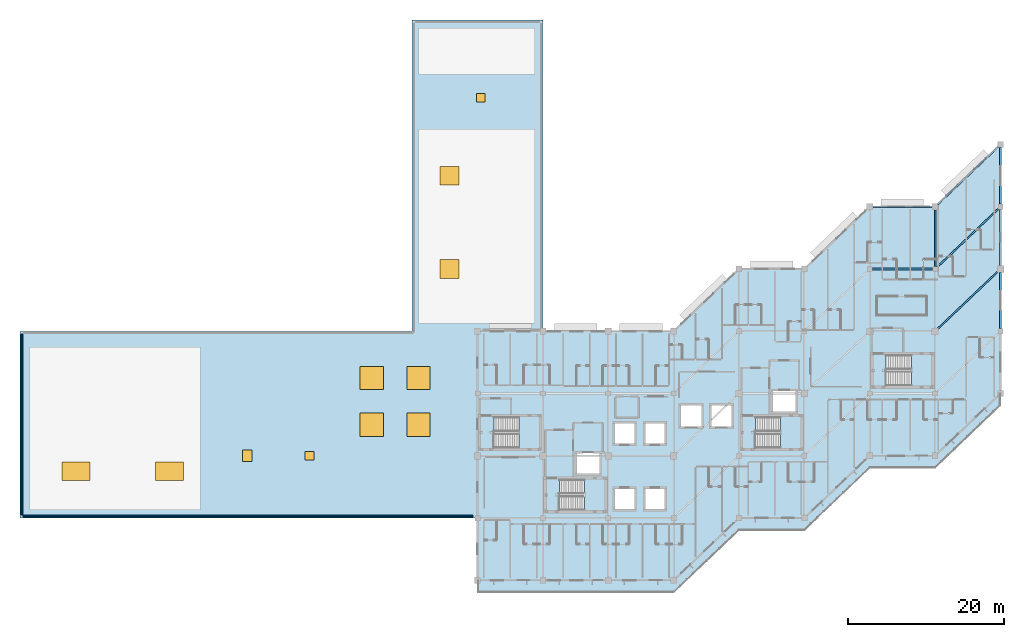
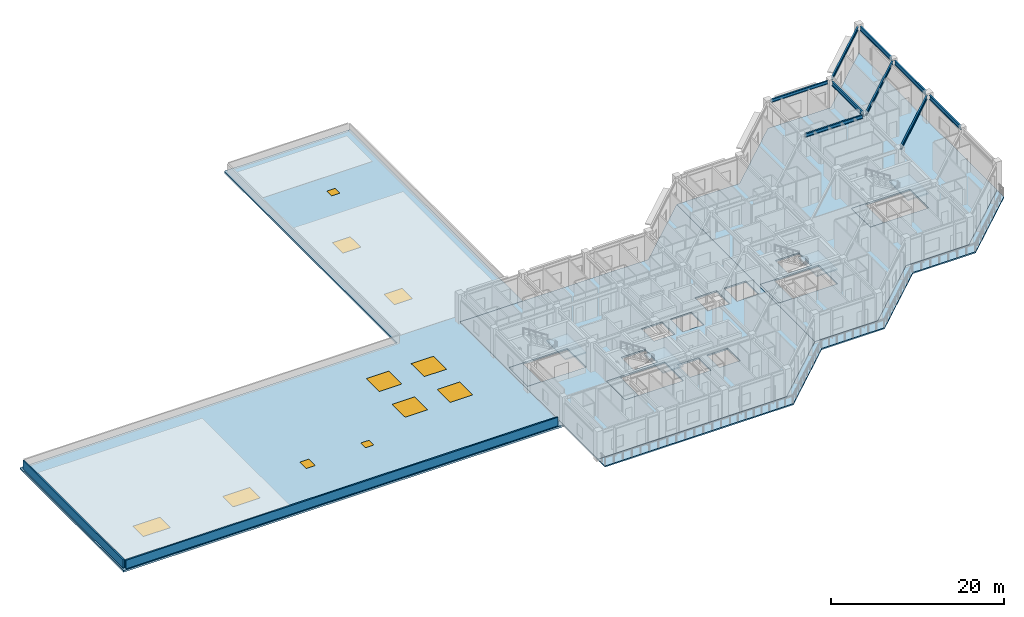
# One storey, part 5 of 22: 12 slabs, 11 windows, 9 beams, 2 walls, 11 openings, 4 elements without a shape of their own.
"""IFC4 building model written with IfcOpenShell, lengths in metres."""

from ifc_helpers import new_model, si_unit, direction, frame, frame_2d, origin, origin_2d, place, context, subcontext, project, spatial, polyline, rectangle, i_section, outline, extrude, material, layer, layer_set, material_profile, profile_set, type_object, element, fill, aggregate, save


model = new_model("IFC4")

# Units and contexts
model_context = context("Model", 3, precision=1e-05, world=origin(), true_north=direction((0.0, 1.0)))
body_context = subcontext(model_context, "Body", "Model", "MODEL_VIEW")
ifc_project = project(units=[si_unit("LENGTHUNIT", "METRE"), si_unit("AREAUNIT", "SQUARE_METRE"), si_unit("VOLUMEUNIT", "CUBIC_METRE"), si_unit("PLANEANGLEUNIT", "RADIAN"), si_unit("MASSUNIT", "GRAM", prefix="KILO")], contexts=[model_context])

# Site, building, storey
site_placement = place(None, origin())
site = spatial("IfcSite", under=ifc_project, at=site_placement, CompositionType="ELEMENT")
building_placement = place(site_placement, origin())
building = spatial("IfcBuilding", under=site, at=building_placement, Name="Naruveol Harbour Congress Hotel", CompositionType="ELEMENT")
storey_placement = place(building_placement, frame((0.0, 0.0, 21.0)))
storey = spatial("IfcBuildingStorey", under=building, at=storey_placement, Name="L04", CompositionType="ELEMENT", Elevation=21.0)

# Beams
ifc_material_1 = material(Name="Steel SN490", Category="steel")
ifc_material_profile_1 = material_profile(ifc_material_1, i_section(OverallWidth=0.199951171875, OverallDepth=0.5, WebThickness=0.010009765625, FlangeThickness=0.01611328125, at=origin_2d()), Name="H-500x200x10x16")
ifc_profile_set_1 = profile_set([ifc_material_profile_1], Name="Steel SN490")
beam_type_1 = type_object("IfcBeamType", Name="STEEL FLOOR GIRDER H500", PredefinedType="BEAM", material=ifc_profile_set_1)
beam_1_placement = place(storey_placement, frame((168.345947265625, 40.0, 3.72998046875), z_axis=(1.0, 0.0, 0.0), x_axis=(0.0, 1.0, 0.0)))
element("IfcBeam", 1, at=beam_1_placement, inside=storey, type_object=beam_type_1, Name="Hotel chord beam L05 SB2", PredefinedType="BEAM", context=body_context, shape_type="SweptSolid", body=[
    extrude(i_section(OverallWidth=0.199951171875, OverallDepth=0.5, WebThickness=0.010009765625, FlangeThickness=0.01611328125, at=origin_2d()), origin(), (0.0, 0.0, 1.0), 7.7080078125),
])
beam_2_placement = place(storey_placement, frame((176.722900390625, 32.3076171875, 3.72998046875), z_axis=(0.724144437485, 0.689648340576, 0.0), x_axis=(-0.689648340576, 0.724144437485, 0.0)))
element("IfcBeam", 2, at=beam_2_placement, inside=storey, type_object=beam_type_1, Name="Hotel chord beam L05 SB2", PredefinedType="BEAM", context=body_context, shape_type="SweptSolid", body=[
    extrude(i_section(OverallWidth=0.199951171875, OverallDepth=0.5, WebThickness=0.010009765625, FlangeThickness=0.01611328125, at=origin_2d()), origin(), (0.0, 0.0, 1.0), 10.7080078125),
])
beam_3_placement = place(storey_placement, frame((176.650634765625, 40.238525390625, 3.72998046875), z_axis=(0.724119833693, 0.689674174123, 0.0), x_axis=(-0.689674174123, 0.724119833693, 0.0)))
element("IfcBeam", 3, at=beam_3_placement, inside=storey, type_object=beam_type_1, Name="Hotel chord beam L05 SB2", PredefinedType="BEAM", context=body_context, shape_type="SweptSolid", body=[
    extrude(i_section(OverallWidth=0.199951171875, OverallDepth=0.5, WebThickness=0.010009765625, FlangeThickness=0.01611328125, at=origin_2d()), origin(), (0.0, 0.0, 1.0), 10.907958984375),
])
ifc_material_2 = material(Name="Steel SN490", Category="steel")
ifc_material_profile_2 = material_profile(ifc_material_2, i_section(OverallWidth=0.199951171875, OverallDepth=0.60009765625, WebThickness=0.010986328125, FlangeThickness=0.01708984375, at=origin_2d()), Name="H-600x200x11x17")
ifc_profile_set_2 = profile_set([ifc_material_profile_2], Name="Steel SN490")
beam_type_2 = type_object("IfcBeamType", Name="STEEL PRIMARY FLOOR BEAM H600", PredefinedType="BEAM", material=ifc_profile_set_2)
beam_4_placement = place(storey_placement, frame((176.39990234375, 40.345947265625, 3.679931640625), z_axis=(0.0, 1.0, 0.0), x_axis=(-1.0, 0.0, 0.0)))
element("IfcBeam", 4, at=beam_4_placement, inside=storey, type_object=beam_type_2, Name="Hotel transverse beam L05 SB1", PredefinedType="BEAM", context=body_context, shape_type="SweptSolid", body=[
    extrude(i_section(OverallWidth=0.199951171875, OverallDepth=0.60009765625, WebThickness=0.010986328125, FlangeThickness=0.01708984375, at=origin_2d()), origin(), (0.0, 0.0, 1.0), 7.258056640625),
])
for number, where, z_axis, x_axis, name in (
    (5, (184.800048828125, 32.345947265625, 3.679931640625), (0.0, 1.0, 0.0), (-1.0, 0.0, 0.0), "Hotel transverse beam L05 SB1"),
    (6, (184.800048828125, 40.446044921875, 3.679931640625), (0.0, 1.0, 0.0), (-1.0, 0.0, 0.0), "Hotel transverse beam L05 SB1"),
):
    element("IfcBeam", number, at=place(storey_placement, frame(where, z_axis=z_axis, x_axis=x_axis)), inside=storey, type_object=beam_type_2, Name=name, PredefinedType="BEAM", context=body_context, shape_type="SweptSolid", body=[
        extrude(i_section(OverallWidth=0.199951171875, OverallDepth=0.60009765625, WebThickness=0.010986328125, FlangeThickness=0.01708984375, at=origin_2d()), origin(), (0.0, 0.0, 1.0), 7.2080078125),
    ])
beam_5_placement = place(storey_placement, frame((184.800048828125, 48.345947265625, 3.679931640625), z_axis=(0.0, 1.0, 0.0), x_axis=(-1.0, 0.0, 0.0)))
element("IfcBeam", 7, at=beam_5_placement, inside=storey, type_object=beam_type_2, Name="Hotel transverse beam L05 SB1", PredefinedType="BEAM", context=body_context, shape_type="SweptSolid", body=[
    extrude(i_section(OverallWidth=0.199951171875, OverallDepth=0.60009765625, WebThickness=0.010986328125, FlangeThickness=0.01708984375, at=origin_2d()), origin(), (0.0, 0.0, 1.0), 7.258056640625),
])
ifc_material_3 = material(Name="Steel SN490", Category="steel")
ifc_material_profile_3 = material_profile(ifc_material_3, i_section(OverallWidth=0.199951171875, OverallDepth=0.449951171875, WebThickness=0.009033203125, FlangeThickness=0.013916015625, at=origin_2d()), Name="H-450x200x9x14")
ifc_profile_set_3 = profile_set([ifc_material_profile_3], Name="Steel SN490")
beam_type_3 = type_object("IfcBeamType", Name="STEEL SPANDREL EDGE BEAM H450", PredefinedType="SPANDREL", material=ifc_profile_set_3)
beam_6_placement = place(storey_placement, frame((168.39599609375, 48.0, 3.7548828125), z_axis=(1.0, 0.0, 0.0), x_axis=(0.0, 1.0, 0.0)))
element("IfcBeam", 8, at=beam_6_placement, inside=storey, type_object=beam_type_3, Name="Hotel chord beam L05 SPB2", PredefinedType="SPANDREL", context=body_context, shape_type="SweptSolid", body=[
    extrude(i_section(OverallWidth=0.199951171875, OverallDepth=0.449951171875, WebThickness=0.009033203125, FlangeThickness=0.013916015625, at=origin_2d()), origin(), (0.0, 0.0, 1.0), 7.60791015625),
])
beam_7_placement = place(storey_placement, frame((176.686767578125, 48.273193359375, 3.7548828125), z_axis=(0.724143303008, 0.689649531798, 0.0), x_axis=(-0.689649531798, 0.724143303008, 0.0)))
element("IfcBeam", 9, at=beam_7_placement, inside=storey, type_object=beam_type_3, Name="Hotel chord beam L05 SPB2", PredefinedType="SPANDREL", context=body_context, shape_type="SweptSolid", body=[
    extrude(i_section(OverallWidth=0.199951171875, OverallDepth=0.449951171875, WebThickness=0.009033203125, FlangeThickness=0.013916015625, at=origin_2d()), origin(), (0.0, 0.0, 1.0), 10.807861328125),
])

# Slabs
ifc_material_4 = material(Name="Concrete C40/50", Category="concrete")
ifc_layer_1 = layer(ifc_material_4, 0.219970703125)
ifc_layer_set_1 = layer_set([ifc_layer_1], Name="Concrete C40/50")
slab_type_1 = type_object("IfcSlabType", Name="RC HOTEL LOWER FLOOR SLAB 220", PredefinedType="FLOOR", material=ifc_layer_set_1)
slab_1_placement = place(storey_placement, frame((0.0, 0.0, -0.219970703125)))
element("IfcSlab", 10, at=slab_1_placement, inside=storey, type_object=slab_type_1, Name="Level L04 Hotel W S-curve floor slab", PredefinedType="FLOOR", context=body_context, shape_type="SweptSolid", body=[
    extrude(outline(polyline([(117.60009765625, 0.0), (126.0, 0.0), (134.39990234375, 0.0), (142.800048828125, 0.0), (151.199951171875, 8.0), (151.199951171875, 40.0), (142.800048828125, 32.0), (134.39990234375, 32.0), (126.0, 32.0), (117.60009765625, 32.0), (117.60009765625, 0.0)]), holes=[polyline([(126.300048828125, 8.800048828125), (134.10009765625, 8.800048828125), (134.10009765625, 13.159912109375), (126.300048828125, 13.159912109375), (126.300048828125, 8.800048828125)]), polyline([(117.89990234375, 16.800048828125), (125.699951171875, 16.800048828125), (125.699951171875, 21.159912109375), (117.89990234375, 21.159912109375), (117.89990234375, 16.800048828125)]), polyline([(135.10009765625, 17.39990234375), (137.89990234375, 17.39990234375), (137.89990234375, 20.300048828125), (135.10009765625, 20.300048828125), (135.10009765625, 17.39990234375)]), polyline([(139.0, 17.39990234375), (141.800048828125, 17.39990234375), (141.800048828125, 20.300048828125), (139.0, 20.300048828125), (139.0, 17.39990234375)]), polyline([(135.10009765625, 9.0), (137.89990234375, 9.0), (137.89990234375, 11.89990234375), (135.10009765625, 11.89990234375), (135.10009765625, 9.0)]), polyline([(139.0, 9.0), (141.800048828125, 9.0), (141.800048828125, 11.89990234375), (139.0, 11.89990234375), (139.0, 9.0)]), polyline([(130.199951171875, 13.550048828125), (133.39990234375, 13.550048828125), (133.39990234375, 16.449951171875), (130.199951171875, 16.449951171875), (130.199951171875, 13.550048828125)]), polyline([(143.60009765625, 19.60009765625), (146.5, 19.60009765625), (146.5, 22.60009765625), (143.60009765625, 22.60009765625), (143.60009765625, 19.60009765625)]), polyline([(147.5, 19.60009765625), (150.39990234375, 19.60009765625), (150.39990234375, 22.60009765625), (147.5, 22.60009765625), (147.5, 19.60009765625)])]), origin(), (0.0, 0.0, 1.0), 0.219970703125),
])
slab_2_placement = place(storey_placement, frame((0.0, 0.0, -0.219970703125)))
element("IfcSlab", 11, at=slab_2_placement, inside=storey, type_object=slab_type_1, Name="Level L04 Hotel E S-curve floor slab", PredefinedType="FLOOR", context=body_context, shape_type="SweptSolid", body=[
    extrude(outline(polyline([(151.199951171875, 8.0), (159.60009765625, 8.0), (168.0, 16.0), (176.39990234375, 16.0), (184.800048828125, 24.0), (184.800048828125, 56.0), (176.39990234375, 48.0), (168.0, 48.0), (159.60009765625, 40.0), (151.199951171875, 40.0), (151.199951171875, 8.0)]), holes=[polyline([(151.5, 16.800048828125), (159.300048828125, 16.800048828125), (159.300048828125, 21.159912109375), (151.5, 21.159912109375), (151.5, 16.800048828125)]), polyline([(168.300048828125, 24.800048828125), (176.10009765625, 24.800048828125), (176.10009765625, 29.159912109375), (168.300048828125, 29.159912109375), (168.300048828125, 24.800048828125)]), polyline([(155.39990234375, 21.550048828125), (158.60009765625, 21.550048828125), (158.60009765625, 24.449951171875), (155.39990234375, 24.449951171875), (155.39990234375, 21.550048828125)])]), origin(), (0.0, 0.0, 1.0), 0.219970703125),
])

# Slab, openings, windows
ifc_material_5 = material(Name="Concrete C40/50", Category="concrete")
ifc_layer_2 = layer(ifc_material_5, 0.260009765625)
ifc_layer_set_2 = layer_set([ifc_layer_2], Name="Concrete C40/50")
slab_type_2 = type_object("IfcSlabType", Name="RC PLANTED ROOF GARDEN SLAB 260", PredefinedType="ROOF", material=ifc_layer_set_2)
slab_3_placement = place(storey_placement, frame((0.0, 0.0, -0.260009765625)))
slab_3 = element("IfcSlab", 12, at=slab_3_placement, inside=storey, type_object=slab_type_2, Name="Courtyard Meeting Wing planted roof slab", PredefinedType="ROOF", context=body_context, shape_type="SweptSolid", body=[
    extrude(outline(polyline([(58.800048828125, 8.0), (117.60009765625, 8.0), (117.60009765625, 32.0), (126.0, 32.0), (126.0, 72.0), (109.199951171875, 72.0), (109.199951171875, 32.0), (58.800048828125, 32.0), (58.800048828125, 8.0)])), origin(), (0.0, 0.0, 1.0), 0.260009765625),
])
opening_1_placement = place(slab_3_placement, frame((104.0, 20.0, 0.0)))
opening_1 = element("IfcOpeningElement", 13, at=opening_1_placement, cuts=slab_3, Name="Opening SK-01", PredefinedType="OPENING", context=body_context, shape_type="SweptSolid", body=[
    extrude(rectangle(XDim=3.0, YDim=3.0, at=origin_2d()), origin(), (0.0, 0.0, 1.0), 0.260009765625),
])
opening_2_placement = place(slab_3_placement, frame((110.0, 20.0, 0.0)))
opening_2 = element("IfcOpeningElement", 14, at=opening_2_placement, cuts=slab_3, Name="Opening SK-01", PredefinedType="OPENING", context=body_context, shape_type="SweptSolid", body=[
    extrude(rectangle(XDim=3.0, YDim=3.0, at=origin_2d()), origin(), (0.0, 0.0, 1.0), 0.260009765625),
])
opening_3_placement = place(slab_3_placement, frame((104.0, 26.0, 0.0)))
opening_3 = element("IfcOpeningElement", 15, at=opening_3_placement, cuts=slab_3, Name="Opening SK-01", PredefinedType="OPENING", context=body_context, shape_type="SweptSolid", body=[
    extrude(rectangle(XDim=3.0, YDim=3.0, at=origin_2d()), origin(), (0.0, 0.0, 1.0), 0.260009765625),
])
opening_4_placement = place(slab_3_placement, frame((110.0, 26.0, 0.0)))
opening_4 = element("IfcOpeningElement", 16, at=opening_4_placement, cuts=slab_3, Name="Opening SK-01", PredefinedType="OPENING", context=body_context, shape_type="SweptSolid", body=[
    extrude(rectangle(XDim=3.0, YDim=3.0, at=origin_2d()), origin(), (0.0, 0.0, 1.0), 0.260009765625),
])
opening_5_placement = place(slab_3_placement, frame((66.0, 14.0, 0.0)))
opening_5 = element("IfcOpeningElement", 17, at=opening_5_placement, cuts=slab_3, Name="Opening SK-02", PredefinedType="OPENING", context=body_context, shape_type="SweptSolid", body=[
    extrude(rectangle(XDim=3.60009765625, YDim=2.39990234375, at=origin_2d()), origin(), (0.0, 0.0, 1.0), 0.260009765625),
])
opening_6_placement = place(slab_3_placement, frame((78.0, 14.0, 0.0)))
opening_6 = element("IfcOpeningElement", 18, at=opening_6_placement, cuts=slab_3, Name="Opening SK-02", PredefinedType="OPENING", context=body_context, shape_type="SweptSolid", body=[
    extrude(rectangle(XDim=3.60009765625, YDim=2.39990234375, at=origin_2d()), origin(), (0.0, 0.0, 1.0), 0.260009765625),
])
opening_7_placement = place(slab_3_placement, frame((114.0, 40.0, 0.0)))
opening_7 = element("IfcOpeningElement", 19, at=opening_7_placement, cuts=slab_3, Name="Opening SK-03", PredefinedType="OPENING", context=body_context, shape_type="SweptSolid", body=[
    extrude(rectangle(XDim=2.39990234375, YDim=2.39990234375, at=origin_2d()), origin(), (0.0, 0.0, 1.0), 0.260009765625),
])
opening_8_placement = place(slab_3_placement, frame((114.0, 52.0, 0.0)))
opening_8 = element("IfcOpeningElement", 20, at=opening_8_placement, cuts=slab_3, Name="Opening SK-03", PredefinedType="OPENING", context=body_context, shape_type="SweptSolid", body=[
    extrude(rectangle(XDim=2.39990234375, YDim=2.39990234375, at=origin_2d()), origin(), (0.0, 0.0, 1.0), 0.260009765625),
])
opening_9_placement = place(slab_3_placement, frame((96.0, 16.0, 0.0)))
opening_9 = element("IfcOpeningElement", 21, at=opening_9_placement, cuts=slab_3, Name="Opening RH-110", PredefinedType="OPENING", context=body_context, shape_type="SweptSolid", body=[
    extrude(rectangle(XDim=1.10009765625, YDim=1.10009765625, at=origin_2d()), origin(), (0.0, 0.0, 1.0), 0.260009765625),
])
opening_10_placement = place(slab_3_placement, frame((88.0, 16.0, 0.0)))
opening_10 = element("IfcOpeningElement", 22, at=opening_10_placement, cuts=slab_3, Name="Opening RH-150", PredefinedType="OPENING", context=body_context, shape_type="SweptSolid", body=[
    extrude(rectangle(XDim=1.199951171875, YDim=1.5, at=origin_2d()), origin(), (0.0, 0.0, 1.0), 0.260009765625),
])
opening_11_placement = place(slab_3_placement, frame((118.0, 62.0, 0.0)))
opening_11 = element("IfcOpeningElement", 23, at=opening_11_placement, cuts=slab_3, Name="Opening RH-110", PredefinedType="OPENING", context=body_context, shape_type="SweptSolid", body=[
    extrude(rectangle(XDim=1.10009765625, YDim=1.10009765625, at=origin_2d()), origin(), (0.0, 0.0, 1.0), 0.260009765625),
])
ifc_material_6 = material(Name="Low-E Triple Glazing in Thermal Aluminium", Category="aluminium")
window_type_1 = type_object("IfcWindowType", Name="ATRIUM MODULAR ROOF SKYLIGHT 3000X3000", PartitioningType="DOUBLE_PANEL_VERTICAL", PredefinedType="SKYLIGHT", material=ifc_material_6)
window_1_placement = place(opening_1_placement, frame((0.0, 0.0, 0.2099609375)))
window_1 = element("IfcWindow", 24, at=window_1_placement, inside=storey, type_object=window_type_1, Name="Roof skylight SK-01 #1", OverallHeight=3.0, OverallWidth=3.0, PartitioningType="SINGLE_PANEL", PredefinedType="SKYLIGHT", context=body_context, shape_type="SweptSolid", body=[
    extrude(rectangle(XDim=3.0, YDim=3.0, at=origin_2d()), origin(), (0.0, 0.0, 1.0), 0.050048828125),
])
fill(opening_1, window_1)
window_2_placement = place(opening_2_placement, frame((0.0, 0.0, 0.2099609375)))
window_2 = element("IfcWindow", 25, at=window_2_placement, inside=storey, type_object=window_type_1, Name="Roof skylight SK-01 #2", OverallHeight=3.0, OverallWidth=3.0, PartitioningType="SINGLE_PANEL", PredefinedType="SKYLIGHT", context=body_context, shape_type="SweptSolid", body=[
    extrude(rectangle(XDim=3.0, YDim=3.0, at=origin_2d()), origin(), (0.0, 0.0, 1.0), 0.050048828125),
])
fill(opening_2, window_2)
window_3_placement = place(opening_3_placement, frame((0.0, 0.0, 0.2099609375)))
window_3 = element("IfcWindow", 26, at=window_3_placement, inside=storey, type_object=window_type_1, Name="Roof skylight SK-01 #3", OverallHeight=3.0, OverallWidth=3.0, PartitioningType="SINGLE_PANEL", PredefinedType="SKYLIGHT", context=body_context, shape_type="SweptSolid", body=[
    extrude(rectangle(XDim=3.0, YDim=3.0, at=origin_2d()), origin(), (0.0, 0.0, 1.0), 0.050048828125),
])
fill(opening_3, window_3)
window_4_placement = place(opening_4_placement, frame((0.0, 0.0, 0.2099609375)))
window_4 = element("IfcWindow", 27, at=window_4_placement, inside=storey, type_object=window_type_1, Name="Roof skylight SK-01 #4", OverallHeight=3.0, OverallWidth=3.0, PartitioningType="SINGLE_PANEL", PredefinedType="SKYLIGHT", context=body_context, shape_type="SweptSolid", body=[
    extrude(rectangle(XDim=3.0, YDim=3.0, at=origin_2d()), origin(), (0.0, 0.0, 1.0), 0.050048828125),
])
fill(opening_4, window_4)
ifc_material_7 = material(Name="Low-E Triple Glazing in Thermal Aluminium", Category="aluminium")
window_type_2 = type_object("IfcWindowType", Name="COURTYARD GALLERY SKYLIGHT 3600X2400", PartitioningType="DOUBLE_PANEL_VERTICAL", PredefinedType="SKYLIGHT", material=ifc_material_7)
window_5_placement = place(opening_5_placement, frame((0.0, 0.0, 0.2099609375)))
window_5 = element("IfcWindow", 28, at=window_5_placement, inside=storey, type_object=window_type_2, Name="Roof skylight SK-02 #5", OverallHeight=2.39990234375, OverallWidth=3.60009765625, PartitioningType="SINGLE_PANEL", PredefinedType="SKYLIGHT", context=body_context, shape_type="SweptSolid", body=[
    extrude(rectangle(XDim=3.60009765625, YDim=2.39990234375, at=origin_2d()), origin(), (0.0, 0.0, 1.0), 0.050048828125),
])
fill(opening_5, window_5)
window_6_placement = place(opening_6_placement, frame((0.0, 0.0, 0.2099609375)))
window_6 = element("IfcWindow", 29, at=window_6_placement, inside=storey, type_object=window_type_2, Name="Roof skylight SK-02 #6", OverallHeight=2.39990234375, OverallWidth=3.60009765625, PartitioningType="SINGLE_PANEL", PredefinedType="SKYLIGHT", context=body_context, shape_type="SweptSolid", body=[
    extrude(rectangle(XDim=3.60009765625, YDim=2.39990234375, at=origin_2d()), origin(), (0.0, 0.0, 1.0), 0.050048828125),
])
fill(opening_6, window_6)
ifc_material_8 = material(Name="Low-E Triple Glazing in Thermal Aluminium", Category="aluminium")
window_type_3 = type_object("IfcWindowType", Name="MEETING SALON DAYLIGHT DOME 2400X2400", PartitioningType="DOUBLE_PANEL_VERTICAL", PredefinedType="SKYLIGHT", material=ifc_material_8)
window_7_placement = place(opening_7_placement, frame((0.0, 0.0, 0.2099609375)))
window_7 = element("IfcWindow", 30, at=window_7_placement, inside=storey, type_object=window_type_3, Name="Roof skylight SK-03 #7", OverallHeight=2.39990234375, OverallWidth=2.39990234375, PartitioningType="SINGLE_PANEL", PredefinedType="SKYLIGHT", context=body_context, shape_type="SweptSolid", body=[
    extrude(rectangle(XDim=2.39990234375, YDim=2.39990234375, at=origin_2d()), origin(), (0.0, 0.0, 1.0), 0.050048828125),
])
fill(opening_7, window_7)
window_8_placement = place(opening_8_placement, frame((0.0, 0.0, 0.2099609375)))
window_8 = element("IfcWindow", 31, at=window_8_placement, inside=storey, type_object=window_type_3, Name="Roof skylight SK-03 #8", OverallHeight=2.39990234375, OverallWidth=2.39990234375, PartitioningType="SINGLE_PANEL", PredefinedType="SKYLIGHT", context=body_context, shape_type="SweptSolid", body=[
    extrude(rectangle(XDim=2.39990234375, YDim=2.39990234375, at=origin_2d()), origin(), (0.0, 0.0, 1.0), 0.050048828125),
])
fill(opening_8, window_8)
ifc_material_9 = material(Name="Low-E Triple Glazing in Thermal Aluminium", Category="aluminium")
window_type_4 = type_object("IfcWindowType", Name="ROOF ACCESS GLAZED HATCH 1100X1100", PartitioningType="SINGLE_PANEL", PredefinedType="SKYLIGHT", material=ifc_material_9)
window_9_placement = place(opening_9_placement, frame((0.0, 0.0, 0.2099609375)))
window_9 = element("IfcWindow", 32, at=window_9_placement, inside=storey, type_object=window_type_4, Name="Roof access hatch RH-110 #3", OverallHeight=1.10009765625, OverallWidth=1.10009765625, PartitioningType="SINGLE_PANEL", PredefinedType="SKYLIGHT", context=body_context, shape_type="SweptSolid", body=[
    extrude(rectangle(XDim=1.10009765625, YDim=1.10009765625, at=origin_2d()), origin(), (0.0, 0.0, 1.0), 0.050048828125),
])
fill(opening_9, window_9)
window_10_placement = place(opening_11_placement, frame((0.0, 0.0, 0.2099609375)))
window_10 = element("IfcWindow", 33, at=window_10_placement, inside=storey, type_object=window_type_4, Name="Roof access hatch RH-110 #5", OverallHeight=1.10009765625, OverallWidth=1.10009765625, PartitioningType="SINGLE_PANEL", PredefinedType="SKYLIGHT", context=body_context, shape_type="SweptSolid", body=[
    extrude(rectangle(XDim=1.10009765625, YDim=1.10009765625, at=origin_2d()), origin(), (0.0, 0.0, 1.0), 0.050048828125),
])
fill(opening_11, window_10)
ifc_material_10 = material(Name="Low-E Triple Glazing in Thermal Aluminium", Category="aluminium")
window_type_5 = type_object("IfcWindowType", Name="SMOKE VENT GLAZED ROOF HATCH 1200X1500", PartitioningType="SINGLE_PANEL", PredefinedType="SKYLIGHT", material=ifc_material_10)
window_11_placement = place(opening_10_placement, frame((0.0, 0.0, 0.2099609375)))
window_11 = element("IfcWindow", 34, at=window_11_placement, inside=storey, type_object=window_type_5, Name="Roof access hatch RH-150 #4", OverallHeight=1.5, OverallWidth=1.199951171875, PartitioningType="SINGLE_PANEL", PredefinedType="SKYLIGHT", context=body_context, shape_type="SweptSolid", body=[
    extrude(rectangle(XDim=1.199951171875, YDim=1.5, at=origin_2d()), origin(), (0.0, 0.0, 1.0), 0.050048828125),
])
fill(opening_10, window_11)

# Slab
ifc_material_11 = material(Name="Concrete C40/50", Category="concrete")
ifc_layer_3 = layer(ifc_material_11, 0.179931640625)
ifc_layer_set_3 = layer_set([ifc_layer_3], Name="Concrete C40/50")
slab_type_3 = type_object("IfcSlabType", Name="RC STAIR HALF LANDING SLAB 180", PredefinedType="LANDING", material=ifc_layer_set_3)
slab_4_placement = place(storey_placement, frame((0.0, 0.0, -0.179931640625)))
element("IfcSlab", 35, at=slab_4_placement, inside=storey, type_object=slab_type_3, Name="Stair ST1 L04 floor landing", PredefinedType="LANDING", context=body_context, shape_type="SweptSolid", body=[
    extrude(outline(polyline([(126.300048828125, 8.800048828125), (128.10009765625, 8.800048828125), (128.10009765625, 13.159912109375), (126.300048828125, 13.159912109375), (126.300048828125, 8.800048828125)])), origin(), (0.0, 0.0, 1.0), 0.179931640625),
])

# Stair, slab
ifc_material_12 = material(Name="Concrete C40/50", Category="concrete")
stair_type = type_object("IfcStairType", Name="RC DOG LEG ESCAPE STAIR 1800W H4200", PredefinedType="HALF_TURN_STAIR", material=ifc_material_12)
stair_1_placement = place(storey_placement, origin())
stair_1 = element("IfcStair", 36, at=stair_1_placement, inside=storey, type_object=stair_type, Name="Special Escape Stair ST1 L04 to L05", PredefinedType="HALF_TURN_STAIR")
slab_5_placement = place(storey_placement, frame((0.0, 0.0, 1.919921875)))
slab_5 = element("IfcSlab", 37, at=slab_5_placement, type_object=slab_type_3, Name="ST1 L04 half landing", PredefinedType="LANDING", context=body_context, shape_type="SweptSolid", body=[
    extrude(outline(polyline([(131.344970703125, 8.800048828125), (134.10009765625, 8.800048828125), (134.10009765625, 13.159912109375), (131.344970703125, 13.159912109375), (131.344970703125, 8.800048828125)])), origin(), (0.0, 0.0, 1.0), 0.18017578125),
])
aggregate(stair_1, [slab_5])

# Slab
slab_6_placement = place(storey_placement, frame((0.0, 0.0, -0.179931640625)))
element("IfcSlab", 38, at=slab_6_placement, inside=storey, type_object=slab_type_3, Name="Stair ST2 L04 floor landing", PredefinedType="LANDING", context=body_context, shape_type="SweptSolid", body=[
    extrude(outline(polyline([(151.5, 16.800048828125), (153.300048828125, 16.800048828125), (153.300048828125, 21.159912109375), (151.5, 21.159912109375), (151.5, 16.800048828125)])), origin(), (0.0, 0.0, 1.0), 0.179931640625),
])

# Stair, slab
stair_2_placement = place(storey_placement, origin())
stair_2 = element("IfcStair", 39, at=stair_2_placement, inside=storey, type_object=stair_type, Name="Special Escape Stair ST2 L04 to L05", PredefinedType="HALF_TURN_STAIR")
slab_7_placement = place(storey_placement, frame((0.0, 0.0, 1.919921875)))
slab_7 = element("IfcSlab", 40, at=slab_7_placement, type_object=slab_type_3, Name="ST2 L04 half landing", PredefinedType="LANDING", context=body_context, shape_type="SweptSolid", body=[
    extrude(outline(polyline([(156.544921875, 16.800048828125), (159.300048828125, 16.800048828125), (159.300048828125, 21.159912109375), (156.544921875, 21.159912109375), (156.544921875, 16.800048828125)])), origin(), (0.0, 0.0, 1.0), 0.18017578125),
])
aggregate(stair_2, [slab_7])

# Slab
slab_8_placement = place(storey_placement, frame((0.0, 0.0, -0.179931640625)))
element("IfcSlab", 41, at=slab_8_placement, inside=storey, type_object=slab_type_3, Name="Stair ST3 L04 floor landing", PredefinedType="LANDING", context=body_context, shape_type="SweptSolid", body=[
    extrude(outline(polyline([(117.89990234375, 16.800048828125), (119.699951171875, 16.800048828125), (119.699951171875, 21.159912109375), (117.89990234375, 21.159912109375), (117.89990234375, 16.800048828125)])), origin(), (0.0, 0.0, 1.0), 0.179931640625),
])

# Stair, slab
stair_3_placement = place(storey_placement, origin())
stair_3 = element("IfcStair", 42, at=stair_3_placement, inside=storey, type_object=stair_type, Name="Special Escape Stair ST3 L04 to L05", PredefinedType="HALF_TURN_STAIR")
slab_9_placement = place(storey_placement, frame((0.0, 0.0, 1.919921875)))
slab_9 = element("IfcSlab", 43, at=slab_9_placement, type_object=slab_type_3, Name="ST3 L04 half landing", PredefinedType="LANDING", context=body_context, shape_type="SweptSolid", body=[
    extrude(outline(polyline([(122.945068359375, 16.800048828125), (125.699951171875, 16.800048828125), (125.699951171875, 21.159912109375), (122.945068359375, 21.159912109375), (122.945068359375, 16.800048828125)])), origin(), (0.0, 0.0, 1.0), 0.18017578125),
])
aggregate(stair_3, [slab_9])

# Slab
slab_10_placement = place(storey_placement, frame((0.0, 0.0, -0.179931640625)))
element("IfcSlab", 44, at=slab_10_placement, inside=storey, type_object=slab_type_3, Name="Stair ST4 L04 floor landing", PredefinedType="LANDING", context=body_context, shape_type="SweptSolid", body=[
    extrude(outline(polyline([(168.300048828125, 24.800048828125), (170.10009765625, 24.800048828125), (170.10009765625, 29.159912109375), (168.300048828125, 29.159912109375), (168.300048828125, 24.800048828125)])), origin(), (0.0, 0.0, 1.0), 0.179931640625),
])

# Stair, slab
stair_4_placement = place(storey_placement, origin())
stair_4 = element("IfcStair", 45, at=stair_4_placement, inside=storey, type_object=stair_type, Name="Special Escape Stair ST4 L04 to L05", PredefinedType="HALF_TURN_STAIR")
slab_11_placement = place(storey_placement, frame((0.0, 0.0, 1.919921875)))
slab_11 = element("IfcSlab", 46, at=slab_11_placement, type_object=slab_type_3, Name="ST4 L04 half landing", PredefinedType="LANDING", context=body_context, shape_type="SweptSolid", body=[
    extrude(outline(polyline([(173.344970703125, 24.800048828125), (176.10009765625, 24.800048828125), (176.10009765625, 29.159912109375), (173.344970703125, 29.159912109375), (173.344970703125, 24.800048828125)])), origin(), (0.0, 0.0, 1.0), 0.18017578125),
])
aggregate(stair_4, [slab_11])

# Slab
ifc_material_13 = material(Name="Concrete C40/50", Category="concrete")
ifc_layer_4 = layer(ifc_material_13, 0.179931640625)
ifc_layer_set_4 = layer_set([ifc_layer_4], Name="Concrete C40/50")
slab_type_4 = type_object("IfcSlabType", Name="RC TERRACE AND LANDING SLAB 180", PredefinedType="FLOOR", material=ifc_layer_set_4)
slab_12_placement = place(storey_placement, frame((0.0, 0.0, -0.179931640625)))
element("IfcSlab", 47, at=slab_12_placement, inside=storey, type_object=slab_type_4, Name="Level L04 Harbourfront brise-soleil balcony", PredefinedType="FLOOR", context=body_context, shape_type="SweptSolid", body=[
    extrude(outline(polyline([(117.60009765625, -1.60009765625), (126.0, -1.60009765625), (134.39990234375, -1.60009765625), (142.800048828125, -1.60009765625), (151.199951171875, 6.39990234375), (159.60009765625, 6.39990234375), (168.0, 14.39990234375), (176.39990234375, 14.39990234375), (184.800048828125, 22.39990234375), (184.800048828125, 23.9951171875), (176.39990234375, 15.9951171875), (168.0, 15.9951171875), (159.60009765625, 7.9951171875), (151.199951171875, 7.9951171875), (142.800048828125, -0.0048828125), (134.39990234375, -0.0048828125), (126.0, -0.0048828125), (117.60009765625, -0.0048828125), (117.60009765625, -1.60009765625)])), origin(), (0.0, 0.0, 1.0), 0.179931640625),
])

# Walls
ifc_material_14 = material(Name="Concrete C40/50", Category="concrete")
ifc_layer_5 = layer(ifc_material_14, 0.18994140625)
ifc_layer_set_5 = layer_set([ifc_layer_5], Name="Concrete C40/50")
wall_type = type_object("IfcWallType", Name="RC ROOF PARAPET UPSTAND WALL 190", PredefinedType="PARAPET", material=ifc_layer_set_5)
wall_1_placement = place(storey_placement, frame((116.9599609375, 8.25, 0.0), z_axis=(0.0, 0.0, 1.0), x_axis=(-1.0, 0.0, 0.0)))
element("IfcWall", 48, at=wall_1_placement, inside=storey, type_object=wall_type, Name="Roof parapet upstand PW-190", PredefinedType="PARAPET", context=body_context, shape_type="SweptSolid", body=[
    extrude(rectangle(XDim=57.77001953125, YDim=0.18994140625, at=frame_2d((28.885009765625, 0.0))), origin(), (0.0, 0.0, 1.0), 1.199951171875),
])
wall_2_placement = place(storey_placement, frame((59.050048828125, 8.389892578125, 0.0), z_axis=(0.0, 0.0, 1.0), x_axis=(0.0, 1.0, 0.0)))
element("IfcWall", 49, at=wall_2_placement, inside=storey, type_object=wall_type, Name="Roof parapet upstand PW-190", PredefinedType="PARAPET", context=body_context, shape_type="SweptSolid", body=[
    extrude(rectangle(XDim=23.22021484375, YDim=0.18994140625, at=frame_2d((11.610107421875, 0.0))), origin(), (0.0, 0.0, 1.0), 1.199951171875),
])

save(model, "model.ifc")
